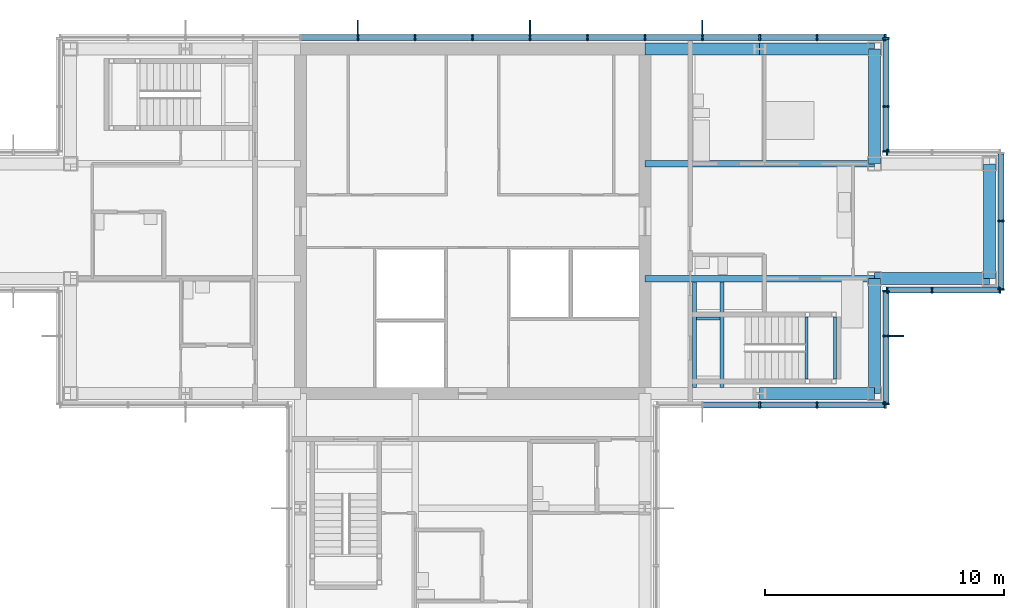
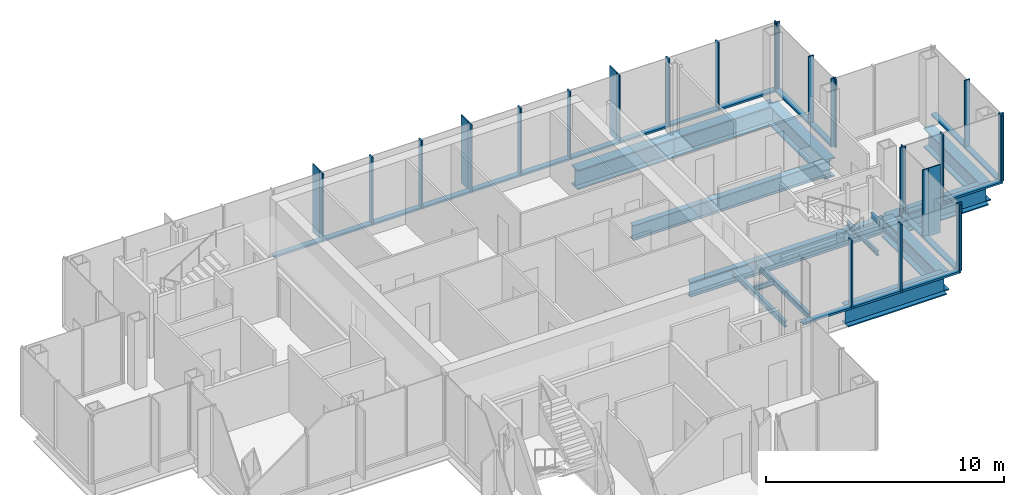
# One storey, part 7 of 15: 50 members, 14 beams, 7 elements without a shape of their own.
"""IFC4 building model written with IfcOpenShell, lengths in metres."""

from ifc_helpers import new_model, si_unit, direction, frame, origin, origin_2d, place, context, subcontext, project, spatial, rectangle, i_section, extrude, material, material_profile, profile_set, type_object, element, aggregate, save


model = new_model("IFC4")

# Units and contexts
model_context = context("Model", 3, precision=1e-05, world=origin(), true_north=direction((0.0, 1.0)))
body_context = subcontext(model_context, "Body", "Model", "MODEL_VIEW")
ifc_project = project(units=[si_unit("LENGTHUNIT", "METRE"), si_unit("AREAUNIT", "SQUARE_METRE"), si_unit("VOLUMEUNIT", "CUBIC_METRE"), si_unit("PLANEANGLEUNIT", "RADIAN"), si_unit("MASSUNIT", "GRAM", prefix="KILO")], contexts=[model_context])

# Site, building, storey
site_placement = place(None, origin())
site = spatial("IfcSite", under=ifc_project, at=site_placement, CompositionType="ELEMENT")
building_placement = place(site_placement, origin())
building = spatial("IfcBuilding", under=site, at=building_placement, Name="Kvirike Care Tower", CompositionType="ELEMENT")
storey_placement = place(building_placement, frame((0.0, 0.0, 226.0)))
storey = spatial("IfcBuildingStorey", under=building, at=storey_placement, Name="L62", CompositionType="ELEMENT", Elevation=226.0)

# Curtain wall, member
ifc_material_1 = material(Name="Anodised aluminium stick system", Category="aluminium")
curtain_wall_type = type_object("IfcCurtainWallType", Name="CW-D STICK CURTAIN WALL", PredefinedType="NOTDEFINED", material=ifc_material_1)
curtain_wall_1_placement = place(storey_placement, origin())
curtain_wall_1 = element("IfcCurtainWall", 1, at=curtain_wall_1_placement, inside=storey, type_object=curtain_wall_type, Name="Curtain wall L62 face 2", PredefinedType="NOTDEFINED")
ifc_material_2 = material(Name="Bronze anodised aluminium fin", Category="aluminium")
ifc_material_profile_1 = material_profile(ifc_material_2, rectangle(XDim=0.050048828125, YDim=0.60009765625, at=origin_2d()), Name="BRONZE FIN 600")
ifc_profile_set_1 = profile_set([ifc_material_profile_1], Name="Bronze anodised aluminium fin")
member_type_1 = type_object("IfcMemberType", Name="BRONZE FIN 600", PredefinedType="USERDEFINED", material=ifc_profile_set_1)
member_1_placement = place(storey_placement, frame((39.31005859375, 31.199951171875, 0.0), z_axis=(0.0, 0.0, 1.0), x_axis=(0.0, 1.0, 0.0)))
member_1 = element("IfcMember", 2, at=member_1_placement, type_object=member_type_1, Name="Bronze fin L62 face 2.2", ObjectType="FIN", PredefinedType="USERDEFINED", context=body_context, shape_type="SweptSolid", body=[
    extrude(rectangle(XDim=0.050048828125, YDim=0.60009765625, at=origin_2d()), origin(), (0.0, 0.0, 1.0), 3.5),
])

# Curtain wall, members
curtain_wall_2_placement = place(storey_placement, origin())
curtain_wall_2 = element("IfcCurtainWall", 3, at=curtain_wall_2_placement, inside=storey, type_object=curtain_wall_type, Name="Curtain wall L62 face 7", PredefinedType="NOTDEFINED")
member_2_placement = place(storey_placement, frame((31.199951171875, 44.110107421875, 0.0), z_axis=(0.0, 0.0, 1.0), x_axis=(-1.0, 0.0, 0.0)))
member_2 = element("IfcMember", 4, at=member_2_placement, type_object=member_type_1, Name="Bronze fin L62 face 7.4", ObjectType="FIN", PredefinedType="USERDEFINED", context=body_context, shape_type="SweptSolid", body=[
    extrude(rectangle(XDim=0.050048828125, YDim=0.60009765625, at=origin_2d()), origin(), (0.0, 0.0, 1.0), 3.5),
])
member_3_placement = place(storey_placement, frame((24.0, 44.110107421875, 0.0), z_axis=(0.0, 0.0, 1.0), x_axis=(-1.0, 0.0, 0.0)))
member_3 = element("IfcMember", 5, at=member_3_placement, type_object=member_type_1, Name="Bronze fin L62 face 7.7", ObjectType="FIN", PredefinedType="USERDEFINED", context=body_context, shape_type="SweptSolid", body=[
    extrude(rectangle(XDim=0.050048828125, YDim=0.60009765625, at=origin_2d()), origin(), (0.0, 0.0, 1.0), 3.5),
])
member_4_placement = place(storey_placement, frame((16.800048828125, 44.110107421875, 0.0), z_axis=(0.0, 0.0, 1.0), x_axis=(-1.0, 0.0, 0.0)))
member_4 = element("IfcMember", 6, at=member_4_placement, type_object=member_type_1, Name="Bronze fin L62 face 7.10", ObjectType="FIN", PredefinedType="USERDEFINED", context=body_context, shape_type="SweptSolid", body=[
    extrude(rectangle(XDim=0.050048828125, YDim=0.60009765625, at=origin_2d()), origin(), (0.0, 0.0, 1.0), 3.5),
])

curtain_wall_3_placement = place(storey_placement, origin())
curtain_wall_3 = element("IfcCurtainWall", 7, at=curtain_wall_3_placement, inside=storey, type_object=curtain_wall_type, Name="Curtain wall L62 face 1", PredefinedType="NOTDEFINED")
ifc_material_3 = material(Name="Bronze anodised aluminium mullion", Category="aluminium")
ifc_material_profile_2 = material_profile(ifc_material_3, rectangle(XDim=0.06494140625, YDim=0.260009765625, at=origin_2d()), Name="CW-D MULLION 65x260")
ifc_profile_set_2 = profile_set([ifc_material_profile_2], Name="Bronze anodised aluminium mullion")
member_type_2 = type_object("IfcMemberType", Name="CW-D MULLION 65x260", PredefinedType="MULLION", material=ifc_profile_set_2)
member_5_placement = place(storey_placement, frame((33.60009765625, 28.320068359375, 0.0), z_axis=(0.0, 0.0, 1.0), x_axis=(1.0, 0.0, 0.0)))
member_5 = element("IfcMember", 8, at=member_5_placement, type_object=member_type_2, Name="CW-D mullion L62 face 1.3", PredefinedType="MULLION", context=body_context, shape_type="SweptSolid", body=[
    extrude(rectangle(XDim=0.06494140625, YDim=0.260009765625, at=origin_2d()), origin(), (0.0, 0.0, 1.0), 3.5),
])
member_6_placement = place(storey_placement, frame((36.0, 28.320068359375, 0.0), z_axis=(0.0, 0.0, 1.0), x_axis=(1.0, 0.0, 0.0)))
member_6 = element("IfcMember", 9, at=member_6_placement, type_object=member_type_2, Name="CW-D mullion L62 face 1.4", PredefinedType="MULLION", context=body_context, shape_type="SweptSolid", body=[
    extrude(rectangle(XDim=0.06494140625, YDim=0.260009765625, at=origin_2d()), origin(), (0.0, 0.0, 1.0), 3.5),
])
member_7_placement = place(storey_placement, frame((38.847412109375, 28.320068359375, 0.0), z_axis=(0.0, 0.0, 1.0), x_axis=(1.0, 0.0, 0.0)))
member_7 = element("IfcMember", 10, at=member_7_placement, type_object=member_type_2, Name="CW-D mullion L62 face 1.5", PredefinedType="MULLION", context=body_context, shape_type="SweptSolid", body=[
    extrude(rectangle(XDim=0.06494140625, YDim=0.260009765625, at=origin_2d()), origin(), (0.0, 0.0, 1.0), 3.5),
])

# Member
member_8_placement = place(storey_placement, frame((38.8798828125, 28.3525390625, 0.0), z_axis=(0.0, 0.0, 1.0), x_axis=(0.0, 1.0, 0.0)))
member_8 = element("IfcMember", 11, at=member_8_placement, type_object=member_type_2, Name="CW-D mullion L62 face 2.1", PredefinedType="MULLION", context=body_context, shape_type="SweptSolid", body=[
    extrude(rectangle(XDim=0.06494140625, YDim=0.260009765625, at=origin_2d()), origin(), (0.0, 0.0, 1.0), 3.5),
])

member_9_placement = place(storey_placement, frame((38.8798828125, 31.199951171875, 0.0), z_axis=(0.0, 0.0, 1.0), x_axis=(0.0, 1.0, 0.0)))
member_9 = element("IfcMember", 12, at=member_9_placement, type_object=member_type_2, Name="CW-D mullion L62 face 2.2", PredefinedType="MULLION", context=body_context, shape_type="SweptSolid", body=[
    extrude(rectangle(XDim=0.06494140625, YDim=0.260009765625, at=origin_2d()), origin(), (0.0, 0.0, 1.0), 3.5),
])

member_10_placement = place(storey_placement, frame((38.8798828125, 33.08740234375, 0.0), z_axis=(0.0, 0.0, 1.0), x_axis=(0.0, 1.0, 0.0)))
member_10 = element("IfcMember", 13, at=member_10_placement, type_object=member_type_2, Name="CW-D mullion L62 face 2.3", PredefinedType="MULLION", context=body_context, shape_type="SweptSolid", body=[
    extrude(rectangle(XDim=0.06494140625, YDim=0.260009765625, at=origin_2d()), origin(), (0.0, 0.0, 1.0), 3.5),
])

# Curtain wall, members
curtain_wall_4_placement = place(storey_placement, origin())
curtain_wall_4 = element("IfcCurtainWall", 14, at=curtain_wall_4_placement, inside=storey, type_object=curtain_wall_type, Name="Curtain wall L62 face 3", PredefinedType="NOTDEFINED")
member_11_placement = place(storey_placement, frame((38.91259765625, 33.1201171875, 0.0), z_axis=(0.0, 0.0, 1.0), x_axis=(1.0, 0.0, 0.0)))
member_11 = element("IfcMember", 15, at=member_11_placement, type_object=member_type_2, Name="CW-D mullion L62 face 3.1", PredefinedType="MULLION", context=body_context, shape_type="SweptSolid", body=[
    extrude(rectangle(XDim=0.06494140625, YDim=0.260009765625, at=origin_2d()), origin(), (0.0, 0.0, 1.0), 3.5),
])
member_12_placement = place(storey_placement, frame((40.800048828125, 33.1201171875, 0.0), z_axis=(0.0, 0.0, 1.0), x_axis=(1.0, 0.0, 0.0)))
member_12 = element("IfcMember", 16, at=member_12_placement, type_object=member_type_2, Name="CW-D mullion L62 face 3.2", PredefinedType="MULLION", context=body_context, shape_type="SweptSolid", body=[
    extrude(rectangle(XDim=0.06494140625, YDim=0.260009765625, at=origin_2d()), origin(), (0.0, 0.0, 1.0), 3.5),
])
member_13_placement = place(storey_placement, frame((43.6474609375, 33.1201171875, 0.0), z_axis=(0.0, 0.0, 1.0), x_axis=(1.0, 0.0, 0.0)))
member_13 = element("IfcMember", 17, at=member_13_placement, type_object=member_type_2, Name="CW-D mullion L62 face 3.3", PredefinedType="MULLION", context=body_context, shape_type="SweptSolid", body=[
    extrude(rectangle(XDim=0.06494140625, YDim=0.260009765625, at=origin_2d()), origin(), (0.0, 0.0, 1.0), 3.5),
])

curtain_wall_5_placement = place(storey_placement, origin())
curtain_wall_5 = element("IfcCurtainWall", 18, at=curtain_wall_5_placement, inside=storey, type_object=curtain_wall_type, Name="Curtain wall L62 face 4", PredefinedType="NOTDEFINED")
member_14_placement = place(storey_placement, frame((43.679931640625, 33.152587890625, 0.0), z_axis=(0.0, 0.0, 1.0), x_axis=(0.0, 1.0, 0.0)))
member_14 = element("IfcMember", 19, at=member_14_placement, type_object=member_type_2, Name="CW-D mullion L62 face 4.1", PredefinedType="MULLION", context=body_context, shape_type="SweptSolid", body=[
    extrude(rectangle(XDim=0.06494140625, YDim=0.260009765625, at=origin_2d()), origin(), (0.0, 0.0, 1.0), 3.5),
])
member_15_placement = place(storey_placement, frame((43.679931640625, 36.0, 0.0), z_axis=(0.0, 0.0, 1.0), x_axis=(0.0, 1.0, 0.0)))
member_15 = element("IfcMember", 20, at=member_15_placement, type_object=member_type_2, Name="CW-D mullion L62 face 4.2", PredefinedType="MULLION", context=body_context, shape_type="SweptSolid", body=[
    extrude(rectangle(XDim=0.06494140625, YDim=0.260009765625, at=origin_2d()), origin(), (0.0, 0.0, 1.0), 3.5),
])

# Curtain wall, member
curtain_wall_6_placement = place(storey_placement, origin())
curtain_wall_6 = element("IfcCurtainWall", 21, at=curtain_wall_6_placement, inside=storey, type_object=curtain_wall_type, Name="Curtain wall L62 face 5", PredefinedType="NOTDEFINED")
member_16_placement = place(storey_placement, frame((38.91259765625, 38.8798828125, 0.0), z_axis=(0.0, 0.0, 1.0), x_axis=(-1.0, 0.0, 0.0)))
member_16 = element("IfcMember", 22, at=member_16_placement, type_object=member_type_2, Name="CW-D mullion L62 face 5.3", PredefinedType="MULLION", context=body_context, shape_type="SweptSolid", body=[
    extrude(rectangle(XDim=0.06494140625, YDim=0.260009765625, at=origin_2d()), origin(), (0.0, 0.0, 1.0), 3.5),
])
aggregate(curtain_wall_6, [member_16])

# Curtain wall, members
curtain_wall_7_placement = place(storey_placement, origin())
curtain_wall_7 = element("IfcCurtainWall", 23, at=curtain_wall_7_placement, inside=storey, type_object=curtain_wall_type, Name="Curtain wall L62 face 6", PredefinedType="NOTDEFINED")
member_17_placement = place(storey_placement, frame((38.8798828125, 38.91259765625, 0.0), z_axis=(0.0, 0.0, 1.0), x_axis=(0.0, 1.0, 0.0)))
member_17 = element("IfcMember", 24, at=member_17_placement, type_object=member_type_2, Name="CW-D mullion L62 face 6.1", PredefinedType="MULLION", context=body_context, shape_type="SweptSolid", body=[
    extrude(rectangle(XDim=0.06494140625, YDim=0.260009765625, at=origin_2d()), origin(), (0.0, 0.0, 1.0), 3.5),
])
member_18_placement = place(storey_placement, frame((38.8798828125, 40.800048828125, 0.0), z_axis=(0.0, 0.0, 1.0), x_axis=(0.0, 1.0, 0.0)))
member_18 = element("IfcMember", 25, at=member_18_placement, type_object=member_type_2, Name="CW-D mullion L62 face 6.2", PredefinedType="MULLION", context=body_context, shape_type="SweptSolid", body=[
    extrude(rectangle(XDim=0.06494140625, YDim=0.260009765625, at=origin_2d()), origin(), (0.0, 0.0, 1.0), 3.5),
])
member_19_placement = place(storey_placement, frame((38.8798828125, 43.6474609375, 0.0), z_axis=(0.0, 0.0, 1.0), x_axis=(0.0, 1.0, 0.0)))
member_19 = element("IfcMember", 26, at=member_19_placement, type_object=member_type_2, Name="CW-D mullion L62 face 6.3", PredefinedType="MULLION", context=body_context, shape_type="SweptSolid", body=[
    extrude(rectangle(XDim=0.06494140625, YDim=0.260009765625, at=origin_2d()), origin(), (0.0, 0.0, 1.0), 3.5),
])

# Member
member_20_placement = place(storey_placement, frame((38.847412109375, 43.679931640625, 0.0), z_axis=(0.0, 0.0, 1.0), x_axis=(-1.0, 0.0, 0.0)))
member_20 = element("IfcMember", 27, at=member_20_placement, type_object=member_type_2, Name="CW-D mullion L62 face 7.1", PredefinedType="MULLION", context=body_context, shape_type="SweptSolid", body=[
    extrude(rectangle(XDim=0.06494140625, YDim=0.260009765625, at=origin_2d()), origin(), (0.0, 0.0, 1.0), 3.5),
])

member_21_placement = place(storey_placement, frame((36.0, 43.679931640625, 0.0), z_axis=(0.0, 0.0, 1.0), x_axis=(-1.0, 0.0, 0.0)))
member_21 = element("IfcMember", 28, at=member_21_placement, type_object=member_type_2, Name="CW-D mullion L62 face 7.2", PredefinedType="MULLION", context=body_context, shape_type="SweptSolid", body=[
    extrude(rectangle(XDim=0.06494140625, YDim=0.260009765625, at=origin_2d()), origin(), (0.0, 0.0, 1.0), 3.5),
])

member_22_placement = place(storey_placement, frame((33.60009765625, 43.679931640625, 0.0), z_axis=(0.0, 0.0, 1.0), x_axis=(-1.0, 0.0, 0.0)))
member_22 = element("IfcMember", 29, at=member_22_placement, type_object=member_type_2, Name="CW-D mullion L62 face 7.3", PredefinedType="MULLION", context=body_context, shape_type="SweptSolid", body=[
    extrude(rectangle(XDim=0.06494140625, YDim=0.260009765625, at=origin_2d()), origin(), (0.0, 0.0, 1.0), 3.5),
])

member_23_placement = place(storey_placement, frame((31.199951171875, 43.679931640625, 0.0), z_axis=(0.0, 0.0, 1.0), x_axis=(-1.0, 0.0, 0.0)))
member_23 = element("IfcMember", 30, at=member_23_placement, type_object=member_type_2, Name="CW-D mullion L62 face 7.4", PredefinedType="MULLION", context=body_context, shape_type="SweptSolid", body=[
    extrude(rectangle(XDim=0.06494140625, YDim=0.260009765625, at=origin_2d()), origin(), (0.0, 0.0, 1.0), 3.5),
])

member_24_placement = place(storey_placement, frame((28.800048828125, 43.679931640625, 0.0), z_axis=(0.0, 0.0, 1.0), x_axis=(-1.0, 0.0, 0.0)))
member_24 = element("IfcMember", 31, at=member_24_placement, type_object=member_type_2, Name="CW-D mullion L62 face 7.5", PredefinedType="MULLION", context=body_context, shape_type="SweptSolid", body=[
    extrude(rectangle(XDim=0.06494140625, YDim=0.260009765625, at=origin_2d()), origin(), (0.0, 0.0, 1.0), 3.5),
])

member_25_placement = place(storey_placement, frame((26.39990234375, 43.679931640625, 0.0), z_axis=(0.0, 0.0, 1.0), x_axis=(-1.0, 0.0, 0.0)))
member_25 = element("IfcMember", 32, at=member_25_placement, type_object=member_type_2, Name="CW-D mullion L62 face 7.6", PredefinedType="MULLION", context=body_context, shape_type="SweptSolid", body=[
    extrude(rectangle(XDim=0.06494140625, YDim=0.260009765625, at=origin_2d()), origin(), (0.0, 0.0, 1.0), 3.5),
])

member_26_placement = place(storey_placement, frame((24.0, 43.679931640625, 0.0), z_axis=(0.0, 0.0, 1.0), x_axis=(-1.0, 0.0, 0.0)))
member_26 = element("IfcMember", 33, at=member_26_placement, type_object=member_type_2, Name="CW-D mullion L62 face 7.7", PredefinedType="MULLION", context=body_context, shape_type="SweptSolid", body=[
    extrude(rectangle(XDim=0.06494140625, YDim=0.260009765625, at=origin_2d()), origin(), (0.0, 0.0, 1.0), 3.5),
])

member_27_placement = place(storey_placement, frame((21.60009765625, 43.679931640625, 0.0), z_axis=(0.0, 0.0, 1.0), x_axis=(-1.0, 0.0, 0.0)))
member_27 = element("IfcMember", 34, at=member_27_placement, type_object=member_type_2, Name="CW-D mullion L62 face 7.8", PredefinedType="MULLION", context=body_context, shape_type="SweptSolid", body=[
    extrude(rectangle(XDim=0.06494140625, YDim=0.260009765625, at=origin_2d()), origin(), (0.0, 0.0, 1.0), 3.5),
])

member_28_placement = place(storey_placement, frame((19.199951171875, 43.679931640625, 0.0), z_axis=(0.0, 0.0, 1.0), x_axis=(-1.0, 0.0, 0.0)))
member_28 = element("IfcMember", 35, at=member_28_placement, type_object=member_type_2, Name="CW-D mullion L62 face 7.9", PredefinedType="MULLION", context=body_context, shape_type="SweptSolid", body=[
    extrude(rectangle(XDim=0.06494140625, YDim=0.260009765625, at=origin_2d()), origin(), (0.0, 0.0, 1.0), 3.5),
])

member_29_placement = place(storey_placement, frame((16.800048828125, 43.679931640625, 0.0), z_axis=(0.0, 0.0, 1.0), x_axis=(-1.0, 0.0, 0.0)))
member_29 = element("IfcMember", 36, at=member_29_placement, type_object=member_type_2, Name="CW-D mullion L62 face 7.10", PredefinedType="MULLION", context=body_context, shape_type="SweptSolid", body=[
    extrude(rectangle(XDim=0.06494140625, YDim=0.260009765625, at=origin_2d()), origin(), (0.0, 0.0, 1.0), 3.5),
])

ifc_material_4 = material(Name="Bronze anodised aluminium transom", Category="aluminium")
ifc_material_profile_3 = material_profile(ifc_material_4, rectangle(XDim=0.260009765625, YDim=0.10009765625, at=origin_2d()), Name="CW-D TRANSOM 260x100")
ifc_profile_set_3 = profile_set([ifc_material_profile_3], Name="Bronze anodised aluminium transom")
member_type_3 = type_object("IfcMemberType", Name="CW-D TRANSOM 260x100", PredefinedType="USERDEFINED", material=ifc_profile_set_3)
member_30_placement = place(storey_placement, frame((31.232421875, 28.320068359375, 0.050048828125), z_axis=(1.0, 0.0, 0.0), x_axis=(0.0, 1.0, 0.0)))
member_30 = element("IfcMember", 37, at=member_30_placement, type_object=member_type_3, Name="CW-D sill transom L62 face 1.2", ObjectType="TRANSOM", PredefinedType="USERDEFINED", context=body_context, shape_type="SweptSolid", body=[
    extrude(rectangle(XDim=0.260009765625, YDim=0.10009765625, at=origin_2d()), origin(), (0.0, 0.0, 1.0), 2.3349609375),
])

member_31_placement = place(storey_placement, frame((33.632568359375, 28.320068359375, 0.050048828125), z_axis=(1.0, 0.0, 0.0), x_axis=(0.0, 1.0, 0.0)))
member_31 = element("IfcMember", 38, at=member_31_placement, type_object=member_type_3, Name="CW-D sill transom L62 face 1.3", ObjectType="TRANSOM", PredefinedType="USERDEFINED", context=body_context, shape_type="SweptSolid", body=[
    extrude(rectangle(XDim=0.260009765625, YDim=0.10009765625, at=origin_2d()), origin(), (0.0, 0.0, 1.0), 2.3349609375),
])

member_32_placement = place(storey_placement, frame((36.032470703125, 28.320068359375, 0.050048828125), z_axis=(1.0, 0.0, 0.0), x_axis=(0.0, 1.0, 0.0)))
member_32 = element("IfcMember", 39, at=member_32_placement, type_object=member_type_3, Name="CW-D sill transom L62 face 1.4", ObjectType="TRANSOM", PredefinedType="USERDEFINED", context=body_context, shape_type="SweptSolid", body=[
    extrude(rectangle(XDim=0.260009765625, YDim=0.10009765625, at=origin_2d()), origin(), (0.0, 0.0, 1.0), 2.782470703125),
])

aggregate(curtain_wall_3, [member_5, member_6, member_7, member_30, member_31, member_32])

member_33_placement = place(storey_placement, frame((38.8798828125, 28.385009765625, 0.050048828125), z_axis=(0.0, 1.0, 0.0), x_axis=(-1.0, 0.0, 0.0)))
member_33 = element("IfcMember", 40, at=member_33_placement, type_object=member_type_3, Name="CW-D sill transom L62 face 2.1", ObjectType="TRANSOM", PredefinedType="USERDEFINED", context=body_context, shape_type="SweptSolid", body=[
    extrude(rectangle(XDim=0.260009765625, YDim=0.10009765625, at=origin_2d()), origin(), (0.0, 0.0, 1.0), 2.782470703125),
])

member_34_placement = place(storey_placement, frame((38.8798828125, 31.232421875, 0.050048828125), z_axis=(0.0, 1.0, 0.0), x_axis=(-1.0, 0.0, 0.0)))
member_34 = element("IfcMember", 41, at=member_34_placement, type_object=member_type_3, Name="CW-D sill transom L62 face 2.2", ObjectType="TRANSOM", PredefinedType="USERDEFINED", context=body_context, shape_type="SweptSolid", body=[
    extrude(rectangle(XDim=0.260009765625, YDim=0.10009765625, at=origin_2d()), origin(), (0.0, 0.0, 1.0), 1.822509765625),
])

aggregate(curtain_wall_1, [member_8, member_9, member_1, member_10, member_33, member_34])

member_35_placement = place(storey_placement, frame((38.945068359375, 33.1201171875, 0.050048828125), z_axis=(1.0, 0.0, 0.0), x_axis=(0.0, 1.0, 0.0)))
member_35 = element("IfcMember", 42, at=member_35_placement, type_object=member_type_3, Name="CW-D sill transom L62 face 3.1", ObjectType="TRANSOM", PredefinedType="USERDEFINED", context=body_context, shape_type="SweptSolid", body=[
    extrude(rectangle(XDim=0.260009765625, YDim=0.10009765625, at=origin_2d()), origin(), (0.0, 0.0, 1.0), 1.822509765625),
])

member_36_placement = place(storey_placement, frame((40.83251953125, 33.1201171875, 0.050048828125), z_axis=(1.0, 0.0, 0.0), x_axis=(0.0, 1.0, 0.0)))
member_36 = element("IfcMember", 43, at=member_36_placement, type_object=member_type_3, Name="CW-D sill transom L62 face 3.2", ObjectType="TRANSOM", PredefinedType="USERDEFINED", context=body_context, shape_type="SweptSolid", body=[
    extrude(rectangle(XDim=0.260009765625, YDim=0.10009765625, at=origin_2d()), origin(), (0.0, 0.0, 1.0), 2.782470703125),
])

aggregate(curtain_wall_4, [member_11, member_12, member_13, member_35, member_36])

member_37_placement = place(storey_placement, frame((43.679931640625, 33.18505859375, 0.050048828125), z_axis=(0.0, 1.0, 0.0), x_axis=(-1.0, 0.0, 0.0)))
member_37 = element("IfcMember", 44, at=member_37_placement, type_object=member_type_3, Name="CW-D sill transom L62 face 4.1", ObjectType="TRANSOM", PredefinedType="USERDEFINED", context=body_context, shape_type="SweptSolid", body=[
    extrude(rectangle(XDim=0.260009765625, YDim=0.10009765625, at=origin_2d()), origin(), (0.0, 0.0, 1.0), 2.782470703125),
])

member_38_placement = place(storey_placement, frame((43.679931640625, 36.032470703125, 0.050048828125), z_axis=(0.0, 1.0, 0.0), x_axis=(-1.0, 0.0, 0.0)))
member_38 = element("IfcMember", 45, at=member_38_placement, type_object=member_type_3, Name="CW-D sill transom L62 face 4.2", ObjectType="TRANSOM", PredefinedType="USERDEFINED", context=body_context, shape_type="SweptSolid", body=[
    extrude(rectangle(XDim=0.260009765625, YDim=0.10009765625, at=origin_2d()), origin(), (0.0, 0.0, 1.0), 2.782470703125),
])

aggregate(curtain_wall_5, [member_14, member_15, member_37, member_38])

member_39_placement = place(storey_placement, frame((38.8798828125, 38.945068359375, 0.050048828125), z_axis=(0.0, 1.0, 0.0), x_axis=(-1.0, 0.0, 0.0)))
member_39 = element("IfcMember", 46, at=member_39_placement, type_object=member_type_3, Name="CW-D sill transom L62 face 6.1", ObjectType="TRANSOM", PredefinedType="USERDEFINED", context=body_context, shape_type="SweptSolid", body=[
    extrude(rectangle(XDim=0.260009765625, YDim=0.10009765625, at=origin_2d()), origin(), (0.0, 0.0, 1.0), 1.822509765625),
])

member_40_placement = place(storey_placement, frame((38.8798828125, 40.83251953125, 0.050048828125), z_axis=(0.0, 1.0, 0.0), x_axis=(-1.0, 0.0, 0.0)))
member_40 = element("IfcMember", 47, at=member_40_placement, type_object=member_type_3, Name="CW-D sill transom L62 face 6.2", ObjectType="TRANSOM", PredefinedType="USERDEFINED", context=body_context, shape_type="SweptSolid", body=[
    extrude(rectangle(XDim=0.260009765625, YDim=0.10009765625, at=origin_2d()), origin(), (0.0, 0.0, 1.0), 2.782470703125),
])

aggregate(curtain_wall_7, [member_17, member_18, member_19, member_39, member_40])

member_41_placement = place(storey_placement, frame((38.81494140625, 43.679931640625, 0.050048828125), z_axis=(-1.0, 0.0, 0.0), x_axis=(0.0, -1.0, 0.0)))
member_41 = element("IfcMember", 48, at=member_41_placement, type_object=member_type_3, Name="CW-D sill transom L62 face 7.1", ObjectType="TRANSOM", PredefinedType="USERDEFINED", context=body_context, shape_type="SweptSolid", body=[
    extrude(rectangle(XDim=0.260009765625, YDim=0.10009765625, at=origin_2d()), origin(), (0.0, 0.0, 1.0), 2.782470703125),
])

member_42_placement = place(storey_placement, frame((35.967529296875, 43.679931640625, 0.050048828125), z_axis=(-1.0, 0.0, 0.0), x_axis=(0.0, -1.0, 0.0)))
member_42 = element("IfcMember", 49, at=member_42_placement, type_object=member_type_3, Name="CW-D sill transom L62 face 7.2", ObjectType="TRANSOM", PredefinedType="USERDEFINED", context=body_context, shape_type="SweptSolid", body=[
    extrude(rectangle(XDim=0.260009765625, YDim=0.10009765625, at=origin_2d()), origin(), (0.0, 0.0, 1.0), 2.3349609375),
])

member_43_placement = place(storey_placement, frame((33.5673828125, 43.679931640625, 0.050048828125), z_axis=(-1.0, 0.0, 0.0), x_axis=(0.0, -1.0, 0.0)))
member_43 = element("IfcMember", 50, at=member_43_placement, type_object=member_type_3, Name="CW-D sill transom L62 face 7.3", ObjectType="TRANSOM", PredefinedType="USERDEFINED", context=body_context, shape_type="SweptSolid", body=[
    extrude(rectangle(XDim=0.260009765625, YDim=0.10009765625, at=origin_2d()), origin(), (0.0, 0.0, 1.0), 2.3349609375),
])

member_44_placement = place(storey_placement, frame((31.16748046875, 43.679931640625, 0.050048828125), z_axis=(-1.0, 0.0, 0.0), x_axis=(0.0, -1.0, 0.0)))
member_44 = element("IfcMember", 51, at=member_44_placement, type_object=member_type_3, Name="CW-D sill transom L62 face 7.4", ObjectType="TRANSOM", PredefinedType="USERDEFINED", context=body_context, shape_type="SweptSolid", body=[
    extrude(rectangle(XDim=0.260009765625, YDim=0.10009765625, at=origin_2d()), origin(), (0.0, 0.0, 1.0), 2.3349609375),
])

member_45_placement = place(storey_placement, frame((28.767578125, 43.679931640625, 0.050048828125), z_axis=(-1.0, 0.0, 0.0), x_axis=(0.0, -1.0, 0.0)))
member_45 = element("IfcMember", 52, at=member_45_placement, type_object=member_type_3, Name="CW-D sill transom L62 face 7.5", ObjectType="TRANSOM", PredefinedType="USERDEFINED", context=body_context, shape_type="SweptSolid", body=[
    extrude(rectangle(XDim=0.260009765625, YDim=0.10009765625, at=origin_2d()), origin(), (0.0, 0.0, 1.0), 2.3349609375),
])

member_46_placement = place(storey_placement, frame((26.367431640625, 43.679931640625, 0.050048828125), z_axis=(-1.0, 0.0, 0.0), x_axis=(0.0, -1.0, 0.0)))
member_46 = element("IfcMember", 53, at=member_46_placement, type_object=member_type_3, Name="CW-D sill transom L62 face 7.6", ObjectType="TRANSOM", PredefinedType="USERDEFINED", context=body_context, shape_type="SweptSolid", body=[
    extrude(rectangle(XDim=0.260009765625, YDim=0.10009765625, at=origin_2d()), origin(), (0.0, 0.0, 1.0), 2.3349609375),
])

member_47_placement = place(storey_placement, frame((23.967529296875, 43.679931640625, 0.050048828125), z_axis=(-1.0, 0.0, 0.0), x_axis=(0.0, -1.0, 0.0)))
member_47 = element("IfcMember", 54, at=member_47_placement, type_object=member_type_3, Name="CW-D sill transom L62 face 7.7", ObjectType="TRANSOM", PredefinedType="USERDEFINED", context=body_context, shape_type="SweptSolid", body=[
    extrude(rectangle(XDim=0.260009765625, YDim=0.10009765625, at=origin_2d()), origin(), (0.0, 0.0, 1.0), 2.3349609375),
])

member_48_placement = place(storey_placement, frame((21.5673828125, 43.679931640625, 0.050048828125), z_axis=(-1.0, 0.0, 0.0), x_axis=(0.0, -1.0, 0.0)))
member_48 = element("IfcMember", 55, at=member_48_placement, type_object=member_type_3, Name="CW-D sill transom L62 face 7.8", ObjectType="TRANSOM", PredefinedType="USERDEFINED", context=body_context, shape_type="SweptSolid", body=[
    extrude(rectangle(XDim=0.260009765625, YDim=0.10009765625, at=origin_2d()), origin(), (0.0, 0.0, 1.0), 2.3349609375),
])

member_49_placement = place(storey_placement, frame((19.16748046875, 43.679931640625, 0.050048828125), z_axis=(-1.0, 0.0, 0.0), x_axis=(0.0, -1.0, 0.0)))
member_49 = element("IfcMember", 56, at=member_49_placement, type_object=member_type_3, Name="CW-D sill transom L62 face 7.9", ObjectType="TRANSOM", PredefinedType="USERDEFINED", context=body_context, shape_type="SweptSolid", body=[
    extrude(rectangle(XDim=0.260009765625, YDim=0.10009765625, at=origin_2d()), origin(), (0.0, 0.0, 1.0), 2.3349609375),
])

member_50_placement = place(storey_placement, frame((16.767578125, 43.679931640625, 0.050048828125), z_axis=(-1.0, 0.0, 0.0), x_axis=(0.0, -1.0, 0.0)))
member_50 = element("IfcMember", 57, at=member_50_placement, type_object=member_type_3, Name="CW-D sill transom L62 face 7.10", ObjectType="TRANSOM", PredefinedType="USERDEFINED", context=body_context, shape_type="SweptSolid", body=[
    extrude(rectangle(XDim=0.260009765625, YDim=0.10009765625, at=origin_2d()), origin(), (0.0, 0.0, 1.0), 2.3349609375),
])

aggregate(curtain_wall_2, [member_20, member_21, member_22, member_23, member_2, member_24, member_25, member_26, member_3, member_27, member_28, member_29, member_4, member_41, member_42, member_43, member_44, member_45, member_46, member_47, member_48, member_49, member_50])

# Beams
ifc_material_5 = material(Name="Steel S355", Category="steel")
ifc_material_profile_4 = material_profile(ifc_material_5, i_section(OverallWidth=0.26806640625, OverallDepth=0.77001953125, WebThickness=0.015625, FlangeThickness=0.025390625, FilletRadius=0.01708984375, at=origin_2d()), Name="IPE 750x196")
ifc_profile_set_4 = profile_set([ifc_material_profile_4], Name="Steel S355")
beam_type_1 = type_object("IfcBeamType", Name="FLOOR BEAM IPE 750x196", PredefinedType="BEAM", material=ifc_profile_set_4)
for number, where, z_axis, x_axis, name in (
    (58, (28.800048828125, 33.60009765625, -0.554931640625), (1.0, 0.0, 0.0), (0.0, 1.0, 0.0), "Floor Beam H9-H11 L62"),
    (59, (28.800048828125, 38.39990234375, -0.554931640625), (1.0, 0.0, 0.0), (0.0, 1.0, 0.0), "Floor Beam J9-J11 L62"),
):
    element("IfcBeam", number, at=place(storey_placement, frame(where, z_axis=z_axis, x_axis=x_axis)), inside=storey, type_object=beam_type_1, Name=name, PredefinedType="BEAM", context=body_context, shape_type="SweptSolid", body=[
        extrude(i_section(OverallWidth=0.26806640625, OverallDepth=0.77001953125, WebThickness=0.015625, FlangeThickness=0.025390625, FilletRadius=0.01708984375, at=origin_2d()), origin(), (0.0, 0.0, 1.0), 9.599853515625),
    ])
ifc_material_6 = material(Name="Steel S355", Category="steel")
ifc_material_profile_5 = material_profile(ifc_material_6, i_section(OverallWidth=0.5, OverallDepth=1.0, WebThickness=0.030029296875, FlangeThickness=0.06005859375, at=origin_2d()), Name="PG 1000x500x30x60")
ifc_profile_set_5 = profile_set([ifc_material_profile_5], Name="Steel S355")
beam_type_2 = type_object("IfcBeamType", Name="SPANDREL PG 1000x500x30x60", PredefinedType="SPANDREL", material=ifc_profile_set_5)
beam_1_placement = place(storey_placement, frame((33.60009765625, 28.800048828125, -0.669921875), z_axis=(1.0, 0.0, 0.0), x_axis=(0.0, 1.0, 0.0)))
element("IfcBeam", 60, at=beam_1_placement, inside=storey, type_object=beam_type_2, Name="Spandrel G10-G11 L62", PredefinedType="SPANDREL", context=body_context, shape_type="SweptSolid", body=[
    extrude(i_section(OverallWidth=0.5, OverallDepth=1.0, WebThickness=0.030029296875, FlangeThickness=0.06005859375, at=origin_2d()), origin(), (0.0, 0.0, 1.0), 4.7998046875),
])
for number, where, z_axis, x_axis, name in (
    (61, (38.39990234375, 33.60009765625, -0.669921875), (1.0, 0.0, 0.0), (0.0, 1.0, 0.0), "Spandrel H11-H12 L62"),
    (62, (28.800048828125, 43.199951171875, -0.669921875), (1.0, 0.0, 0.0), (0.0, 1.0, 0.0), "Spandrel K9-K10 L62"),
):
    element("IfcBeam", number, at=place(storey_placement, frame(where, z_axis=z_axis, x_axis=x_axis)), inside=storey, type_object=beam_type_2, Name=name, PredefinedType="SPANDREL", context=body_context, shape_type="SweptSolid", body=[
        extrude(i_section(OverallWidth=0.5, OverallDepth=1.0, WebThickness=0.030029296875, FlangeThickness=0.06005859375, at=origin_2d()), origin(), (0.0, 0.0, 1.0), 4.800048828125),
    ])
beam_2_placement = place(storey_placement, frame((33.60009765625, 43.199951171875, -0.669921875), z_axis=(1.0, 0.0, 0.0), x_axis=(0.0, 1.0, 0.0)))
element("IfcBeam", 63, at=beam_2_placement, inside=storey, type_object=beam_type_2, Name="Spandrel K10-K11 L62", PredefinedType="SPANDREL", context=body_context, shape_type="SweptSolid", body=[
    extrude(i_section(OverallWidth=0.5, OverallDepth=1.0, WebThickness=0.030029296875, FlangeThickness=0.06005859375, at=origin_2d()), origin(), (0.0, 0.0, 1.0), 4.7998046875),
])
for number, where, z_axis, x_axis, name in (
    (64, (38.39990234375, 28.800048828125, -0.669921875), (0.0, 1.0, 0.0), (-1.0, 0.0, 0.0), "Spandrel G11-H11 L62"),
    (65, (38.39990234375, 38.39990234375, -0.669921875), (0.0, 1.0, 0.0), (-1.0, 0.0, 0.0), "Spandrel J11-K11 L62"),
):
    element("IfcBeam", number, at=place(storey_placement, frame(where, z_axis=z_axis, x_axis=x_axis)), inside=storey, type_object=beam_type_2, Name=name, PredefinedType="SPANDREL", context=body_context, shape_type="SweptSolid", body=[
        extrude(i_section(OverallWidth=0.5, OverallDepth=1.0, WebThickness=0.030029296875, FlangeThickness=0.06005859375, at=origin_2d()), origin(), (0.0, 0.0, 1.0), 4.800048828125),
    ])
beam_3_placement = place(storey_placement, frame((43.199951171875, 33.60009765625, -0.669921875), z_axis=(0.0, 1.0, 0.0), x_axis=(-1.0, 0.0, 0.0)))
element("IfcBeam", 66, at=beam_3_placement, inside=storey, type_object=beam_type_2, Name="Spandrel H12-J12 L62", PredefinedType="SPANDREL", context=body_context, shape_type="SweptSolid", body=[
    extrude(i_section(OverallWidth=0.5, OverallDepth=1.0, WebThickness=0.030029296875, FlangeThickness=0.06005859375, at=origin_2d()), origin(), (0.0, 0.0, 1.0), 4.7998046875),
])
ifc_material_7 = material(Name="Steel S355", Category="steel")
ifc_material_profile_6 = material_profile(ifc_material_7, i_section(OverallWidth=0.1201171875, OverallDepth=0.239990234375, WebThickness=0.006103515625, FlangeThickness=0.009765625, FilletRadius=0.014892578125, at=origin_2d()), Name="IPE 240")
ifc_profile_set_6 = profile_set([ifc_material_profile_6], Name="Steel S355")
beam_type_3 = type_object("IfcBeamType", Name="STAIR LANDING BEAM IPE 240", PredefinedType="BEAM", material=ifc_profile_set_6)
for number, where, z_axis, x_axis, name in (
    (67, (36.739990234375, 29.39990234375, 1.429931640625), (0.0, 1.0, 0.0), (-1.0, 0.0, 0.0), "Stair 2 landing beam back L62"),
    (68, (35.56005859375, 29.39990234375, 1.429931640625), (0.0, 1.0, 0.0), (-1.0, 0.0, 0.0), "Stair 2 landing beam front L62"),
):
    element("IfcBeam", number, at=place(storey_placement, frame(where, z_axis=z_axis, x_axis=x_axis)), inside=storey, type_object=beam_type_3, Name=name, PredefinedType="BEAM", context=body_context, shape_type="SweptSolid", body=[
        extrude(i_section(OverallWidth=0.1201171875, OverallDepth=0.239990234375, WebThickness=0.006103515625, FlangeThickness=0.009765625, FilletRadius=0.014892578125, at=origin_2d()), origin(), (0.0, 0.0, 1.0), 2.60009765625),
    ])
beam_4_placement = place(storey_placement, frame((31.949951171875, 31.93994140625, -0.320068359375), z_axis=(-1.0, 0.0, 0.0), x_axis=(0.0, -1.0, 0.0)))
element("IfcBeam", 69, at=beam_4_placement, inside=storey, type_object=beam_type_3, Name="Stair 2 landing edge beam 2 L62", PredefinedType="BEAM", context=body_context, shape_type="SweptSolid", body=[
    extrude(i_section(OverallWidth=0.1201171875, OverallDepth=0.239990234375, WebThickness=0.006103515625, FlangeThickness=0.009765625, FilletRadius=0.014892578125, at=origin_2d()), origin(), (0.0, 0.0, 1.0), 1.0),
])
ifc_material_8 = material(Name="Steel S355", Category="steel")
ifc_material_profile_7 = material_profile(ifc_material_8, i_section(OverallWidth=0.14990234375, OverallDepth=0.300048828125, WebThickness=0.007080078125, FlangeThickness=0.0107421875, FilletRadius=0.014892578125, at=origin_2d()), Name="IPE 300")
ifc_profile_set_7 = profile_set([ifc_material_profile_7], Name="Steel S355")
beam_type_4 = type_object("IfcBeamType", Name="STAIR TRIMMER IPE 300", PredefinedType="BEAM", material=ifc_profile_set_7)
for number, where, z_axis, x_axis, name in (
    (70, (32.02490234375, 29.050048828125, -0.35009765625), (0.0, 1.0, 0.0), (-1.0, 0.0, 0.0), "Stair 2 trimmer 1 L62"),
    (71, (30.875, 29.050048828125, -0.35009765625), (0.0, 1.0, 0.0), (-1.0, 0.0, 0.0), "Stair 2 trimmer 2 L62"),
):
    element("IfcBeam", number, at=place(storey_placement, frame(where, z_axis=z_axis, x_axis=x_axis)), inside=storey, type_object=beam_type_4, Name=name, PredefinedType="BEAM", context=body_context, shape_type="SweptSolid", body=[
        extrude(i_section(OverallWidth=0.14990234375, OverallDepth=0.300048828125, WebThickness=0.007080078125, FlangeThickness=0.0107421875, FilletRadius=0.014892578125, at=origin_2d()), origin(), (0.0, 0.0, 1.0), 4.416015625),
    ])

save(model, "model.ifc")
